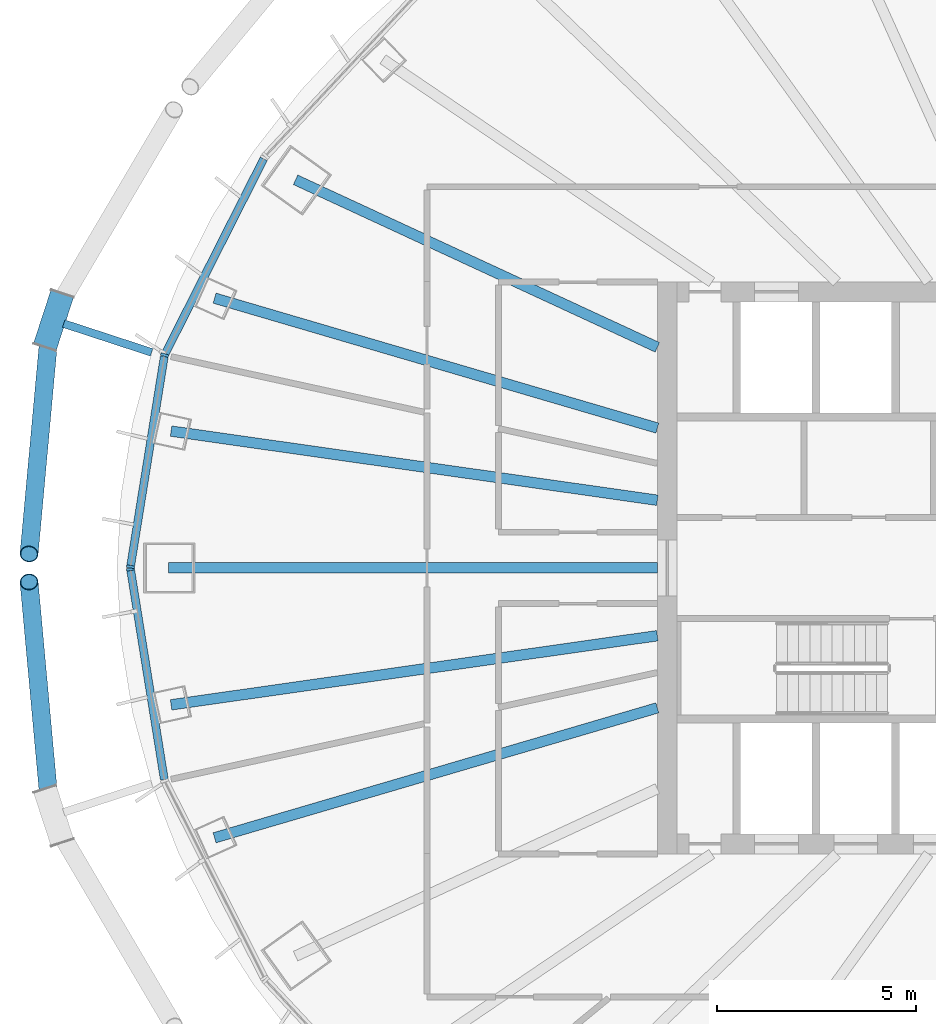
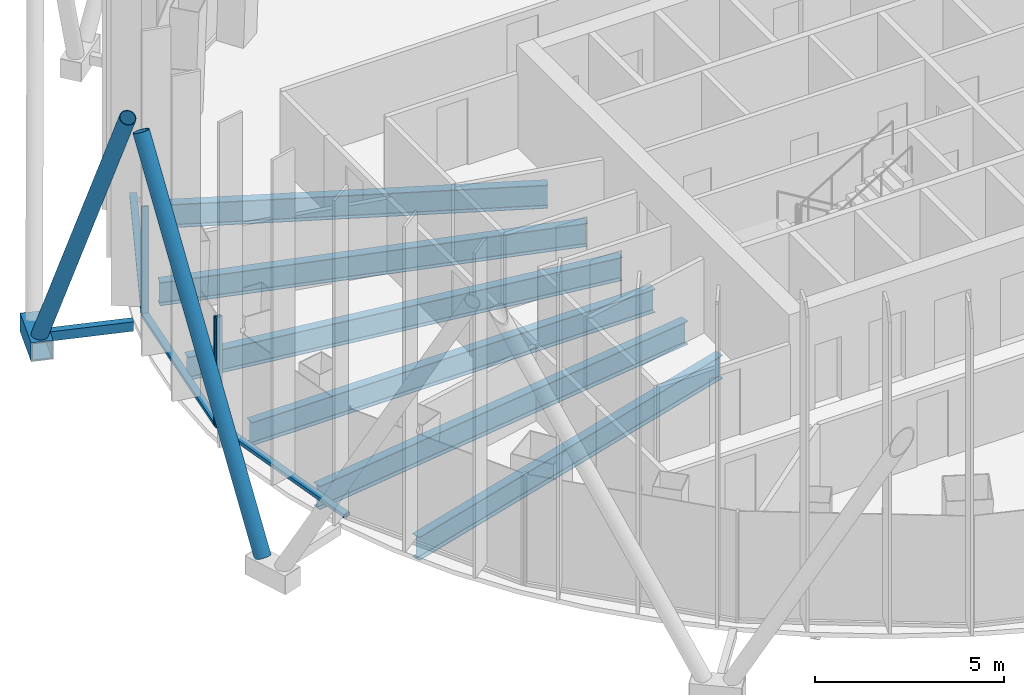
# One storey, part 3 of 19: 10 members, 6 beams, 2 elements without a shape of their own.
"""IFC4 building model written with IfcOpenShell, lengths in metres."""

from ifc_helpers import new_model, si_unit, direction, frame, origin, origin_2d, place, context, subcontext, project, spatial, rectangle, hollow_rectangle, hollow_circle, i_section, extrude, material, layer, layer_set, material_profile, profile_set, type_object, element, aggregate, save


model = new_model("IFC4")

# Units and contexts
model_context = context("Model", 3, precision=1e-05, world=origin(), true_north=direction((0.0, 1.0)))
body_context = subcontext(model_context, "Body", "Model", "MODEL_VIEW")
ifc_project = project(units=[si_unit("LENGTHUNIT", "METRE"), si_unit("AREAUNIT", "SQUARE_METRE"), si_unit("VOLUMEUNIT", "CUBIC_METRE"), si_unit("PLANEANGLEUNIT", "RADIAN"), si_unit("MASSUNIT", "GRAM", prefix="KILO")], contexts=[model_context])

# Site, building, storey
site_placement = place(None, origin())
site = spatial("IfcSite", under=ifc_project, at=site_placement, CompositionType="ELEMENT")
building_placement = place(site_placement, origin())
building = spatial("IfcBuilding", under=site, at=building_placement, Name="Siaravel Broadcast Tower", CompositionType="ELEMENT")
storey_placement = place(building_placement, frame((0.0, 0.0, 119.300048828125)))
storey = spatial("IfcBuildingStorey", under=building, at=storey_placement, Name="L28", CompositionType="ELEMENT", Elevation=119.300048828125)

# Beams
ifc_material_1 = material(Name="Steel S355", Category="steel")
ifc_material_profile_1 = material_profile(ifc_material_1, i_section(OverallWidth=0.26513671875, OverallDepth=0.75390625, WebThickness=0.0126953125, FlangeThickness=0.017578125, FilletRadius=0.0166015625, at=origin_2d()))
ifc_profile_set_1 = profile_set([ifc_material_profile_1], Name="Steel S355")
beam_type = type_object("IfcBeamType", Name="BM-UB 762x267x147", PredefinedType="BEAM", material=ifc_profile_set_1)
beam_1_placement = place(storey_placement, frame((-21.109375, 9.7744140625, -0.527099609375), z_axis=(0.907439776, -0.420182167, 0.0), x_axis=(0.420182167, 0.907439776, 0.0)))
element("IfcBeam", 1, at=beam_1_placement, inside=storey, type_object=beam_type, Name="Radial beam RB16", PredefinedType="BEAM", context=body_context, shape_type="SweptSolid", body=[
    extrude(i_section(OverallWidth=0.26513671875, OverallDepth=0.75390625, WebThickness=0.0126953125, FlangeThickness=0.017578125, FilletRadius=0.0166015625, at=origin_2d()), origin(), (0.0, 0.0, 1.0), 10.03857421875),
])
beam_2_placement = place(storey_placement, frame((-23.1494140625, 6.794677734375, -0.527099609375), z_axis=(0.959523267, -0.281629366, 0.0), x_axis=(0.281629366, 0.959523267, 0.0)))
element("IfcBeam", 2, at=beam_2_placement, inside=storey, type_object=beam_type, Name="Radial beam RB17", PredefinedType="BEAM", context=body_context, shape_type="SweptSolid", body=[
    extrude(i_section(OverallWidth=0.26513671875, OverallDepth=0.75390625, WebThickness=0.0126953125, FlangeThickness=0.017578125, FilletRadius=0.0166015625, at=origin_2d()), origin(), (0.0, 0.0, 1.0), 11.61962890625),
])
beam_3_placement = place(storey_placement, frame((-24.2451171875, 3.4462890625, -0.527099609375), z_axis=(0.990049128, -0.140722152, 0.0), x_axis=(0.140722152, 0.990049128, 0.0)))
element("IfcBeam", 3, at=beam_3_placement, inside=storey, type_object=beam_type, Name="Radial beam RB18", PredefinedType="BEAM", context=body_context, shape_type="SweptSolid", body=[
    extrude(i_section(OverallWidth=0.26513671875, OverallDepth=0.75390625, WebThickness=0.0126953125, FlangeThickness=0.017578125, FilletRadius=0.0166015625, at=origin_2d()), origin(), (0.0, 0.0, 1.0), 12.3681640625),
])
beam_4_placement = place(storey_placement, frame((-24.313232421875, 0.0, -0.527099609375), z_axis=(1.0, 0.0, 0.0), x_axis=(0.0, 1.0, 0.0)))
element("IfcBeam", 4, at=beam_4_placement, inside=storey, type_object=beam_type, Name="Radial beam RB19", PredefinedType="BEAM", context=body_context, shape_type="SweptSolid", body=[
    extrude(i_section(OverallWidth=0.26513671875, OverallDepth=0.75390625, WebThickness=0.0126953125, FlangeThickness=0.017578125, FilletRadius=0.0166015625, at=origin_2d()), origin(), (0.0, 0.0, 1.0), 12.313232421875),
])
beam_5_placement = place(storey_placement, frame((-24.2451171875, -3.4462890625, -0.527099609375), z_axis=(0.990049128, 0.140722152, 0.0), x_axis=(-0.140722152, 0.990049128, 0.0)))
element("IfcBeam", 5, at=beam_5_placement, inside=storey, type_object=beam_type, Name="Radial beam RB20", PredefinedType="BEAM", context=body_context, shape_type="SweptSolid", body=[
    extrude(i_section(OverallWidth=0.26513671875, OverallDepth=0.75390625, WebThickness=0.0126953125, FlangeThickness=0.017578125, FilletRadius=0.0166015625, at=origin_2d()), origin(), (0.0, 0.0, 1.0), 12.3681640625),
])
beam_6_placement = place(storey_placement, frame((-23.1494140625, -6.794677734375, -0.527099609375), z_axis=(0.959523267, 0.281629366, 0.0), x_axis=(-0.281629366, 0.959523267, 0.0)))
element("IfcBeam", 6, at=beam_6_placement, inside=storey, type_object=beam_type, Name="Radial beam RB21", PredefinedType="BEAM", context=body_context, shape_type="SweptSolid", body=[
    extrude(i_section(OverallWidth=0.26513671875, OverallDepth=0.75390625, WebThickness=0.0126953125, FlangeThickness=0.017578125, FilletRadius=0.0166015625, at=origin_2d()), origin(), (0.0, 0.0, 1.0), 11.61962890625),
])

# Curtain wall, members
ifc_material_2 = material(Name="Aluminium 6063-T6", Category="aluminium")
ifc_layer = layer(ifc_material_2, 0.199951171875)
ifc_layer_set = layer_set([ifc_layer], Name="Aluminium 6063-T6")
curtain_wall_type = type_object("IfcCurtainWallType", Name="Unitised curtain wall, zone 2", PredefinedType="NOTDEFINED", material=ifc_layer_set)
curtain_wall_1_placement = place(storey_placement, origin())
curtain_wall_1 = element("IfcCurtainWall", 7, at=curtain_wall_1_placement, inside=storey, type_object=curtain_wall_type, Name="L28 Unitised curtain wall, zone 2 06", PredefinedType="NOTDEFINED")
ifc_material_profile_2 = material_profile(ifc_material_2, rectangle(XDim=0.199951171875, YDim=0.06494140625, at=origin_2d()))
ifc_profile_set_2 = profile_set([ifc_material_profile_2], Name="Aluminium 6063-T6")
member_type_1 = type_object("IfcMemberType", Name="CW-Z2 mullion", PredefinedType="MULLION", material=ifc_profile_set_2)
member_1_placement = place(storey_placement, frame((-24.4091796875, 5.362548828125, 0.0), z_axis=(0.0, 0.0, 1.0), x_axis=(0.951177162, -0.308645439, 0.0)))
member_1 = element("IfcMember", 8, at=member_1_placement, type_object=member_type_1, Name="CW-Z2 mullion 2", PredefinedType="MULLION", context=body_context, shape_type="SweptSolid", body=[
    extrude(rectangle(XDim=0.199951171875, YDim=0.06494140625, at=origin_2d()), origin(), (0.0, 0.0, 1.0), 3.550048828125),
])
member_2_placement = place(storey_placement, frame((-25.265869140625, 0.031982421875, 0.0), z_axis=(0.0, 0.0, 1.0), x_axis=(0.987329163, -0.158685611, 0.0)))
member_2 = element("IfcMember", 9, at=member_2_placement, type_object=member_type_1, Name="CW-Z2 mullion 3", PredefinedType="MULLION", context=body_context, shape_type="SweptSolid", body=[
    extrude(rectangle(XDim=0.199951171875, YDim=0.06494140625, at=origin_2d()), origin(), (0.0, 0.0, 1.0), 3.550048828125),
])

# Curtain wall, member
curtain_wall_2_placement = place(storey_placement, origin())
curtain_wall_2 = element("IfcCurtainWall", 10, at=curtain_wall_2_placement, inside=storey, type_object=curtain_wall_type, Name="L28 Unitised curtain wall, zone 2 07", PredefinedType="NOTDEFINED")
member_3_placement = place(storey_placement, frame((-25.265869140625, -0.031982421875, 0.0), z_axis=(0.0, 0.0, 1.0), x_axis=(0.987329163, 0.158685611, 0.0)))
member_3 = element("IfcMember", 11, at=member_3_placement, type_object=member_type_1, Name="CW-Z2 mullion 1", PredefinedType="MULLION", context=body_context, shape_type="SweptSolid", body=[
    extrude(rectangle(XDim=0.199951171875, YDim=0.06494140625, at=origin_2d()), origin(), (0.0, 0.0, 1.0), 3.550048828125),
])

# Member
ifc_material_profile_3 = material_profile(ifc_material_2, rectangle(XDim=0.199951171875, YDim=0.110107421875, at=origin_2d()))
ifc_profile_set_3 = profile_set([ifc_material_profile_3], Name="Aluminium 6063-T6")
member_type_2 = type_object("IfcMemberType", Name="CW-Z2 transom", PredefinedType="USERDEFINED", material=ifc_profile_set_3)
member_4_placement = place(storey_placement, frame((-21.912353515625, 10.30029296875, 0.054931640625), z_axis=(-0.451256879, -0.8923941, 0.0), x_axis=(0.8923941, -0.451256879, 0.0)))
member_4 = element("IfcMember", 12, at=member_4_placement, type_object=member_type_2, Name="CW-Z2 transom 1", ObjectType="TRANSOM", PredefinedType="USERDEFINED", context=body_context, shape_type="SweptSolid", body=[
    extrude(rectangle(XDim=0.199951171875, YDim=0.110107421875, at=origin_2d()), origin(), (0.0, 0.0, 1.0), 5.50048828125),
])

member_5_placement = place(storey_placement, frame((-24.414306640625, 5.330322265625, 0.054931640625), z_axis=(-0.158695625, -0.987327554, 0.0), x_axis=(0.987327554, -0.158695625, 0.0)))
member_5 = element("IfcMember", 13, at=member_5_placement, type_object=member_type_2, Name="CW-Z2 transom 2", ObjectType="TRANSOM", PredefinedType="USERDEFINED", context=body_context, shape_type="SweptSolid", body=[
    extrude(rectangle(XDim=0.199951171875, YDim=0.110107421875, at=origin_2d()), origin(), (0.0, 0.0, 1.0), 5.333740234375),
])

aggregate(curtain_wall_1, [member_1, member_2, member_4, member_5])

member_6_placement = place(storey_placement, frame((-25.2607421875, -0.064208984375, 0.054931640625), z_axis=(0.158695625, -0.987327554, 0.0), x_axis=(0.987327554, 0.158695625, 0.0)))
member_6 = element("IfcMember", 14, at=member_6_placement, type_object=member_type_2, Name="CW-Z2 transom 1", ObjectType="TRANSOM", PredefinedType="USERDEFINED", context=body_context, shape_type="SweptSolid", body=[
    extrude(rectangle(XDim=0.199951171875, YDim=0.110107421875, at=origin_2d()), origin(), (0.0, 0.0, 1.0), 5.333740234375),
])

aggregate(curtain_wall_2, [member_3, member_6])

# Members
ifc_material_3 = material(Name="Steel S460", Category="steel")
ifc_material_profile_4 = material_profile(ifc_material_3, hollow_circle(Radius=0.228515625, WallThickness=0.02001953125, at=origin_2d()))
ifc_profile_set_4 = profile_set([ifc_material_profile_4], Name="Steel S460")
member_type_3 = type_object("IfcMemberType", Name="Diagrid diagonal CHS 457x20", PredefinedType="BRACE", material=ifc_profile_set_4)
for number, where, z_axis, x_axis, name in (
    (15, (-27.313232421875, 5.90283203125, 0.070068359375), (-0.042526891, -0.464912971, 0.884334435), (0.995842436, -0.091092496, 0.0), "Diagrid diagonal R12 station 33A"),
    (16, (-27.313232421875, -5.90283203125, 0.070068359375), (-0.042526891, 0.464912971, 0.884334435), (-0.995842436, -0.091092496, 0.0), "Diagrid diagonal R12 station 39C"),
):
    element("IfcMember", number, at=place(storey_placement, frame(where, z_axis=z_axis, x_axis=x_axis)), inside=storey, type_object=member_type_3, Name=name, PredefinedType="BRACE", context=body_context, shape_type="SweptSolid", body=[
        extrude(hollow_circle(Radius=0.228515625, WallThickness=0.02001953125, at=origin_2d()), origin(), (0.0, 0.0, 1.0), 11.94091796875),
    ])
ifc_material_profile_5 = material_profile(ifc_material_3, hollow_rectangle(XDim=0.60009765625, YDim=0.60009765625, WallThickness=0.0400390625, at=origin_2d()))
ifc_profile_set_5 = profile_set([ifc_material_profile_5], Name="Steel S460")
member_type_4 = type_object("IfcMemberType", Name="Diagrid node BOX 600x600x40", PredefinedType="USERDEFINED", material=ifc_profile_set_5)
member_7_placement = place(storey_placement, frame((-26.986328125, 6.90185546875, -0.199951171875), z_axis=(-0.310990364, -0.950413065, 0.0), x_axis=(0.950413065, -0.310990364, 0.0)))
element("IfcMember", 17, at=member_7_placement, inside=storey, type_object=member_type_4, Name="Diagrid node R12 station 33", ObjectType="DIAGRID NODE", PredefinedType="USERDEFINED", context=body_context, shape_type="SweptSolid", body=[
    extrude(hollow_rectangle(XDim=0.60009765625, YDim=0.60009765625, WallThickness=0.0400390625, at=origin_2d()), origin(), (0.0, 0.0, 1.0), 1.399658203125),
])
ifc_material_profile_6 = material_profile(ifc_material_3, hollow_rectangle(XDim=0.199951171875, YDim=0.300048828125, WallThickness=0.012451171875, at=origin_2d()))
ifc_profile_set_6 = profile_set([ifc_material_profile_6], Name="Steel S460")
member_type_5 = type_object("IfcMemberType", Name="Diagrid node arm RHS 300x200x12.5", PredefinedType="STRUT", material=ifc_profile_set_6)
member_8_placement = place(storey_placement, frame((-24.73291015625, 5.428466796875, -0.199951171875), z_axis=(-0.950449489, 0.310879025, 0.0), x_axis=(-0.310879025, -0.950449489, 0.0)))
element("IfcMember", 18, at=member_8_placement, inside=storey, type_object=member_type_5, Name="Node arm R12 station 33", PredefinedType="STRUT", context=body_context, shape_type="SweptSolid", body=[
    extrude(hollow_rectangle(XDim=0.199951171875, YDim=0.300048828125, WallThickness=0.012451171875, at=origin_2d()), origin(), (0.0, 0.0, 1.0), 2.330078125),
])

save(model, "model.ifc")
